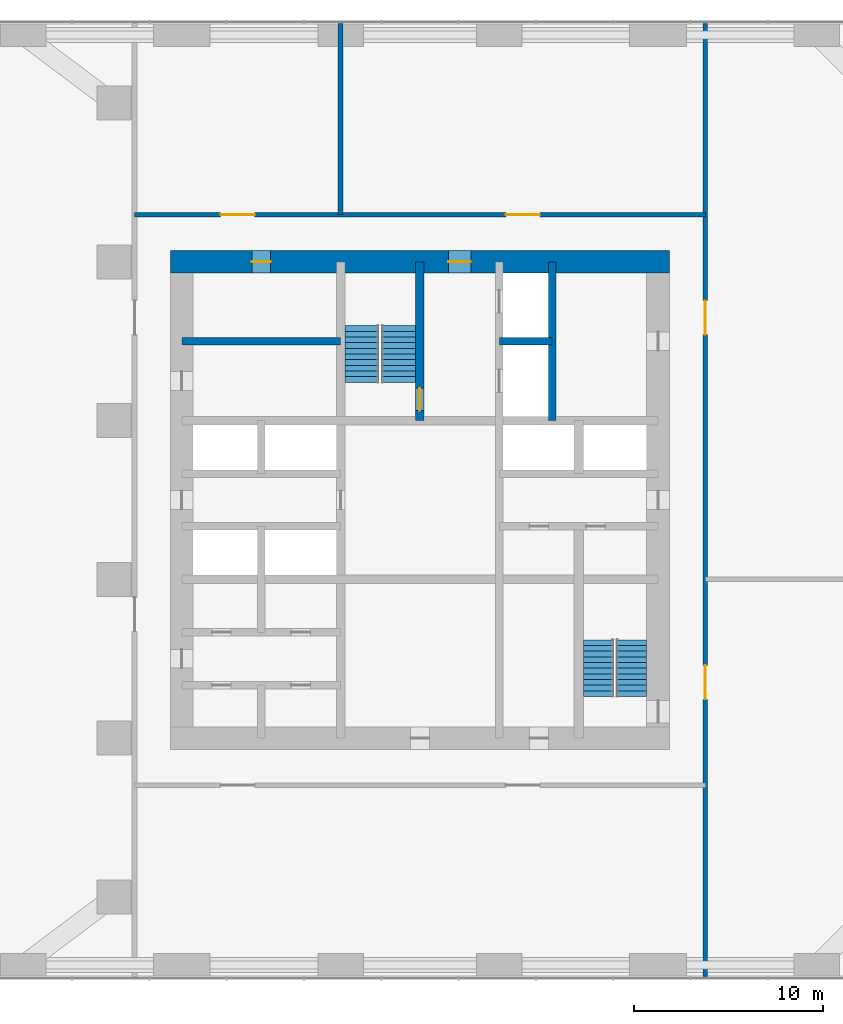
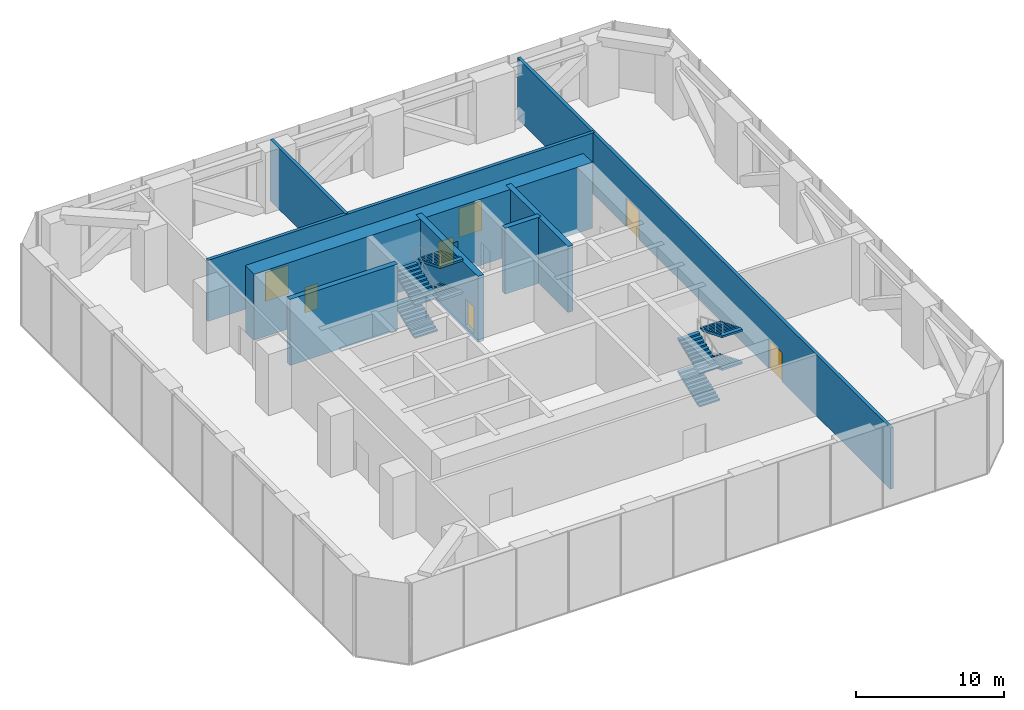
# One storey, part 9 of 10: 8 stair flights, 8 walls, 7 doors, 7 openings, 2 elements without a shape of their own.
"""IFC4 building model written with IfcOpenShell, lengths in metres."""

from ifc_helpers import new_model, si_unit, direction, frame, frame_2d, origin, place, context, subcontext, project, spatial, polyline, rectangle, outline, extrude, material, layer, layer_set, type_object, element, fill, aggregate, save


model = new_model("IFC4")

# Units and contexts
model_context = context("Model", 3, precision=1e-05, world=origin(), true_north=direction((0.0, 1.0)))
body_context = subcontext(model_context, "Body", "Model", "MODEL_VIEW")
ifc_project = project(units=[si_unit("LENGTHUNIT", "METRE"), si_unit("AREAUNIT", "SQUARE_METRE"), si_unit("VOLUMEUNIT", "CUBIC_METRE"), si_unit("PLANEANGLEUNIT", "RADIAN"), si_unit("MASSUNIT", "GRAM", prefix="KILO")], contexts=[model_context])

# Site, building, storey
site_placement = place(None, origin())
site = spatial("IfcSite", under=ifc_project, at=site_placement, CompositionType="ELEMENT")
building_placement = place(site_placement, origin())
building = spatial("IfcBuilding", under=site, at=building_placement, Name="Dunama Terrace Hotel", CompositionType="ELEMENT")
storey_placement = place(building_placement, frame((0.0, 0.0, 220.199951171875)))
storey = spatial("IfcBuildingStorey", under=building, at=storey_placement, Name="L57", CompositionType="ELEMENT", Elevation=220.199951171875)

# Walls
ifc_material_1 = material(Name="Concrete C50/60", Category="concrete")
ifc_layer_1 = layer(ifc_material_1, 0.39990234375)
ifc_layer_set_1 = layer_set([ifc_layer_1], Name="Core inner wall 400")
wall_type_1 = type_object("IfcWallType", Name="Core inner wall 400", PredefinedType="SHEAR", material=ifc_layer_set_1)
for number, where, z_axis, x_axis, name in (
    (1, (36.39990234375, 33.60009765625, -0.39990234375), (0.0, 0.0, 1.0), (0.0, 1.0, 0.0), "Core inner wall 400 L57"),
    (2, (16.800048828125, 37.800048828125, -0.39990234375), (0.0, 0.0, 1.0), (1.0, 0.0, 0.0), "Core inner wall 400 L57"),
):
    element("IfcWall", number, at=place(storey_placement, frame(where, z_axis=z_axis, x_axis=x_axis)), inside=storey, type_object=wall_type_1, Name=name, PredefinedType="SHEAR", context=body_context, shape_type="SweptSolid", body=[
        extrude(rectangle(XDim=8.39990234375, YDim=0.39990234375, at=frame_2d((4.199951171875, 0.0))), origin(), (0.0, 0.0, 1.0), 5.449951171875),
    ])
wall_1_placement = place(storey_placement, frame((33.60009765625, 37.800048828125, -0.39990234375), z_axis=(0.0, 0.0, 1.0), x_axis=(1.0, 0.0, 0.0)))
element("IfcWall", 3, at=wall_1_placement, inside=storey, type_object=wall_type_1, Name="Core inner wall 400 L57", PredefinedType="SHEAR", context=body_context, shape_type="SweptSolid", body=[
    extrude(rectangle(XDim=2.7998046875, YDim=0.39990234375, at=frame_2d((1.39990234375, 0.0))), origin(), (0.0, 0.0, 1.0), 5.449951171875),
])

# Wall, opening, door
ifc_material_2 = material(Name="Concrete C50/60", Category="concrete")
ifc_layer_2 = layer(ifc_material_2, 0.449951171875)
ifc_layer_set_2 = layer_set([ifc_layer_2], Name="Core inner wall 450")
wall_type_2 = type_object("IfcWallType", Name="Core inner wall 450", PredefinedType="SHEAR", material=ifc_layer_set_2)
wall_2_placement = place(storey_placement, frame((29.39990234375, 33.60009765625, -0.39990234375), z_axis=(0.0, 0.0, 1.0), x_axis=(0.0, 1.0, 0.0)))
wall_2 = element("IfcWall", 4, at=wall_2_placement, inside=storey, type_object=wall_type_2, Name="Core inner wall 450 L57", PredefinedType="SHEAR", context=body_context, shape_type="SweptSolid", body=[
    extrude(rectangle(XDim=8.39990234375, YDim=0.449951171875, at=frame_2d((4.199951171875, 0.0))), origin(), (0.0, 0.0, 1.0), 5.449951171875),
])
opening_1_placement = place(wall_2_placement, frame((0.52490234375, 0.0, 0.39990234375)))
opening_1 = element("IfcOpeningElement", 5, at=opening_1_placement, cuts=wall_2, Name="Opening L57-001", PredefinedType="OPENING", context=body_context, shape_type="SweptSolid", body=[
    extrude(rectangle(XDim=1.199951171875, YDim=2.199951171875, at=frame_2d((0.60009765625, 1.10009765625))), frame((0.0, 0.23486328125, 0.0), z_axis=(0.0, -1.0, 0.0), x_axis=(1.0, 0.0, 0.0)), (0.0, 0.0, 1.0), 0.469970703125),
])
ifc_material_3 = material(Name="Timber door with steel frame", Category="steel")
door_type_1 = type_object("IfcDoorType", Name="Stair door 1200", OperationType="SINGLE_SWING_LEFT", PredefinedType="DOOR", material=ifc_material_3)
door_1_placement = place(opening_1_placement, origin())
door_1 = element("IfcDoor", 6, at=door_1_placement, inside=storey, type_object=door_type_1, Name="Stair door ST1 L57-001, type D5", OperationType="SINGLE_SWING_LEFT", OverallHeight=2.199951171875, OverallWidth=1.199951171875, PredefinedType="DOOR", context=body_context, shape_type="SweptSolid", body=[
    extrude(rectangle(XDim=1.199951171875, YDim=2.199951171875, at=frame_2d((0.60009765625, 1.10009765625))), frame((0.0, 0.02490234375, 0.0), z_axis=(0.0, -1.0, 0.0), x_axis=(1.0, 0.0, 0.0)), (0.0, 0.0, 1.0), 0.050048828125),
])
fill(opening_1, door_1)

# Wall, openings, doors
ifc_material_4 = material(Name="Concrete C60/75", Category="concrete")
ifc_layer_3 = layer(ifc_material_4, 1.199951171875)
ifc_layer_set_3 = layer_set([ifc_layer_3], Name="Core wall 1200")
wall_type_3 = type_object("IfcWallType", Name="Core wall 1200", PredefinedType="SHEAR", material=ifc_layer_set_3)
wall_3_placement = place(storey_placement, frame((42.60009765625, 42.0, -0.39990234375), z_axis=(0.0, 0.0, 1.0), x_axis=(-1.0, 0.0, 0.0)))
wall_3 = element("IfcWall", 7, at=wall_3_placement, inside=storey, type_object=wall_type_3, Name="Core wall north L57", PredefinedType="SHEAR", context=body_context, shape_type="SweptSolid", body=[
    extrude(rectangle(XDim=26.400146484375, YDim=1.199951171875, at=frame_2d((13.2001953125, 0.0))), origin(), (0.0, 0.0, 1.0), 5.449951171875),
])
opening_2_placement = place(wall_3_placement, frame((21.10009765625, 0.0, 0.39990234375)))
opening_2 = element("IfcOpeningElement", 8, at=opening_2_placement, cuts=wall_3, Name="Opening L57-020", PredefinedType="OPENING", context=body_context, shape_type="SweptSolid", body=[
    extrude(rectangle(XDim=1.0, YDim=2.10009765625, at=frame_2d((0.5, 1.050048828125))), frame((0.0, 0.60986328125, 0.0), z_axis=(0.0, -1.0, 0.0), x_axis=(1.0, 0.0, 0.0)), (0.0, 0.0, 1.0), 1.219970703125),
])
opening_3_placement = place(wall_3_placement, frame((10.5, 0.0, 0.39990234375)))
opening_3 = element("IfcOpeningElement", 9, at=opening_3_placement, cuts=wall_3, Name="Opening L57-025", PredefinedType="OPENING", context=body_context, shape_type="SweptSolid", body=[
    extrude(rectangle(XDim=1.199951171875, YDim=2.199951171875, at=frame_2d((0.60009765625, 1.10009765625))), frame((0.0, 0.60986328125, 0.0), z_axis=(0.0, -1.0, 0.0), x_axis=(1.0, 0.0, 0.0)), (0.0, 0.0, 1.0), 1.219970703125),
])
ifc_material_5 = material(Name="Timber door with steel frame", Category="steel")
door_type_2 = type_object("IfcDoorType", Name="Firefighting lobby door 1200", OperationType="SINGLE_SWING_LEFT", PredefinedType="DOOR", material=ifc_material_5)
door_2_placement = place(opening_3_placement, origin())
door_2 = element("IfcDoor", 10, at=door_2_placement, inside=storey, type_object=door_type_2, Name="Door to firefighting lobby L57-025, type D4", OperationType="SINGLE_SWING_RIGHT", OverallHeight=2.199951171875, OverallWidth=1.199951171875, PredefinedType="DOOR", context=body_context, shape_type="SweptSolid", body=[
    extrude(rectangle(XDim=1.199951171875, YDim=2.199951171875, at=frame_2d((0.60009765625, 1.10009765625))), frame((0.0, 0.02490234375, 0.0), z_axis=(0.0, -1.0, 0.0), x_axis=(1.0, 0.0, 0.0)), (0.0, 0.0, 1.0), 0.050048828125),
])
fill(opening_3, door_2)
ifc_material_6 = material(Name="Timber door with steel frame", Category="steel")
door_type_3 = type_object("IfcDoorType", Name="Service door 1000", OperationType="SINGLE_SWING_LEFT", PredefinedType="DOOR", material=ifc_material_6)
door_3_placement = place(opening_2_placement, origin())
door_3 = element("IfcDoor", 11, at=door_3_placement, inside=storey, type_object=door_type_3, Name="Door to communications and riser room L57-020, type D7", OperationType="SINGLE_SWING_LEFT", OverallHeight=2.10009765625, OverallWidth=1.0, PredefinedType="DOOR", context=body_context, shape_type="SweptSolid", body=[
    extrude(rectangle(XDim=1.0, YDim=2.10009765625, at=frame_2d((0.5, 1.050048828125))), frame((0.0, 0.02490234375, 0.0), z_axis=(0.0, -1.0, 0.0), x_axis=(1.0, 0.0, 0.0)), (0.0, 0.0, 1.0), 0.050048828125),
])
fill(opening_2, door_3)

# Wall
ifc_material_7 = material(Name="Concrete blockwork", Category="masonry")
ifc_layer_4 = layer(ifc_material_7, 0.25)
ifc_layer_set_4 = layer_set([ifc_layer_4], Name="Plant room wall 250")
wall_type_4 = type_object("IfcWallType", Name="Plant room wall 250", PredefinedType="PARTITIONING", material=ifc_layer_set_4)
wall_4_placement = place(storey_placement, frame((25.199951171875, 44.5, 0.0), z_axis=(0.0, 0.0, 1.0), x_axis=(0.0, 1.0, 0.0)))
element("IfcWall", 12, at=wall_4_placement, inside=storey, type_object=wall_type_4, Name="Plant room wall 250 L57", PredefinedType="PARTITIONING", context=body_context, shape_type="SweptSolid", body=[
    extrude(rectangle(XDim=10.117919921875, YDim=0.25, at=frame_2d((5.05908203125, 0.0))), origin(), (0.0, 0.0, 1.0), 5.050048828125),
])

# Wall, openings, doors
wall_5_placement = place(storey_placement, frame((44.5, 4.181884765625, 0.0), z_axis=(0.0, 0.0, 1.0), x_axis=(0.0, 1.0, 0.0)))
wall_5 = element("IfcWall", 13, at=wall_5_placement, inside=storey, type_object=wall_type_4, Name="Plant room wall 250 L57", PredefinedType="PARTITIONING", context=body_context, shape_type="SweptSolid", body=[
    extrude(rectangle(XDim=50.43603515625, YDim=0.25, at=frame_2d((25.218017578125, 0.0))), origin(), (0.0, 0.0, 1.0), 5.050048828125),
])
opening_4_placement = place(wall_5_placement, frame((14.66796875, 0.0, 0.0)))
opening_4 = element("IfcOpeningElement", 14, at=opening_4_placement, cuts=wall_5, Name="Opening L57-009", PredefinedType="OPENING", context=body_context, shape_type="SweptSolid", body=[
    extrude(rectangle(XDim=1.800048828125, YDim=2.39990234375, at=frame_2d((0.89990234375, 1.199951171875))), frame((0.0, 0.135009765625, 0.0), z_axis=(0.0, -1.0, 0.0), x_axis=(1.0, 0.0, 0.0)), (0.0, 0.0, 1.0), 0.27001953125),
])
opening_5_placement = place(wall_5_placement, frame((33.968017578125, 0.0, 0.0)))
opening_5 = element("IfcOpeningElement", 15, at=opening_5_placement, cuts=wall_5, Name="Opening L57-010", PredefinedType="OPENING", context=body_context, shape_type="SweptSolid", body=[
    extrude(rectangle(XDim=1.800048828125, YDim=2.39990234375, at=frame_2d((0.89990234375, 1.199951171875))), frame((0.0, 0.135009765625, 0.0), z_axis=(0.0, -1.0, 0.0), x_axis=(1.0, 0.0, 0.0)), (0.0, 0.0, 1.0), 0.27001953125),
])
ifc_material_8 = material(Name="Timber door with steel frame", Category="steel")
door_type_4 = type_object("IfcDoorType", Name="Plant room double door 1800", OperationType="DOUBLE_DOOR_DOUBLE_SWING", PredefinedType="DOOR", material=ifc_material_8)
door_4_placement = place(opening_4_placement, origin())
door_4 = element("IfcDoor", 16, at=door_4_placement, inside=storey, type_object=door_type_4, Name="Door to heat exchanger plant room L57-009, type D9", OperationType="DOUBLE_DOOR_DOUBLE_SWING", OverallHeight=2.39990234375, OverallWidth=1.800048828125, PredefinedType="DOOR", context=body_context, shape_type="SweptSolid", body=[
    extrude(rectangle(XDim=1.800048828125, YDim=2.39990234375, at=frame_2d((0.89990234375, 1.199951171875))), frame((0.0, 0.02490234375, 0.0), z_axis=(0.0, -1.0, 0.0), x_axis=(1.0, 0.0, 0.0)), (0.0, 0.0, 1.0), 0.050048828125),
])
fill(opening_4, door_4)
door_5_placement = place(opening_5_placement, origin())
door_5 = element("IfcDoor", 17, at=door_5_placement, inside=storey, type_object=door_type_4, Name="Door to pressure break tank room L57-010, type D9", OperationType="DOUBLE_DOOR_DOUBLE_SWING", OverallHeight=2.39990234375, OverallWidth=1.800048828125, PredefinedType="DOOR", context=body_context, shape_type="SweptSolid", body=[
    extrude(rectangle(XDim=1.800048828125, YDim=2.39990234375, at=frame_2d((0.89990234375, 1.199951171875))), frame((0.0, 0.02490234375, 0.0), z_axis=(0.0, -1.0, 0.0), x_axis=(1.0, 0.0, 0.0)), (0.0, 0.0, 1.0), 0.050048828125),
])
fill(opening_5, door_5)

wall_6_placement = place(storey_placement, frame((14.300048828125, 44.5, 0.0), z_axis=(0.0, 0.0, 1.0), x_axis=(1.0, 0.0, 0.0)))
wall_6 = element("IfcWall", 18, at=wall_6_placement, inside=storey, type_object=wall_type_4, Name="Plant room wall 250 L57", PredefinedType="PARTITIONING", context=body_context, shape_type="SweptSolid", body=[
    extrude(rectangle(XDim=30.199951171875, YDim=0.25, at=frame_2d((15.10009765625, 0.0))), origin(), (0.0, 0.0, 1.0), 5.050048828125),
])
opening_6_placement = place(wall_6_placement, frame((4.550048828125, 0.0, 0.0)))
opening_6 = element("IfcOpeningElement", 19, at=opening_6_placement, cuts=wall_6, Name="Opening L57-011", PredefinedType="OPENING", context=body_context, shape_type="SweptSolid", body=[
    extrude(rectangle(XDim=1.800048828125, YDim=2.39990234375, at=frame_2d((0.89990234375, 1.199951171875))), frame((0.0, 0.135009765625, 0.0), z_axis=(0.0, -1.0, 0.0), x_axis=(1.0, 0.0, 0.0)), (0.0, 0.0, 1.0), 0.27001953125),
])
opening_7_placement = place(wall_6_placement, frame((19.64990234375, 0.0, 0.0)))
opening_7 = element("IfcOpeningElement", 20, at=opening_7_placement, cuts=wall_6, Name="Opening L57-012", PredefinedType="OPENING", context=body_context, shape_type="SweptSolid", body=[
    extrude(rectangle(XDim=1.800048828125, YDim=2.39990234375, at=frame_2d((0.89990234375, 1.199951171875))), frame((0.0, 0.135009765625, 0.0), z_axis=(0.0, -1.0, 0.0), x_axis=(1.0, 0.0, 0.0)), (0.0, 0.0, 1.0), 0.27001953125),
])
door_6_placement = place(opening_6_placement, origin())
door_6 = element("IfcDoor", 21, at=door_6_placement, inside=storey, type_object=door_type_4, Name="Door to electrical switch room L57-011, type D9", OperationType="DOUBLE_DOOR_DOUBLE_SWING", OverallHeight=2.39990234375, OverallWidth=1.800048828125, PredefinedType="DOOR", context=body_context, shape_type="SweptSolid", body=[
    extrude(rectangle(XDim=1.800048828125, YDim=2.39990234375, at=frame_2d((0.89990234375, 1.199951171875))), frame((0.0, 0.02490234375, 0.0), z_axis=(0.0, -1.0, 0.0), x_axis=(1.0, 0.0, 0.0)), (0.0, 0.0, 1.0), 0.050048828125),
])
fill(opening_6, door_6)
door_7_placement = place(opening_7_placement, origin())
door_7 = element("IfcDoor", 22, at=door_7_placement, inside=storey, type_object=door_type_4, Name="Door to transformer room L57-012, type D9", OperationType="DOUBLE_DOOR_DOUBLE_SWING", OverallHeight=2.39990234375, OverallWidth=1.800048828125, PredefinedType="DOOR", context=body_context, shape_type="SweptSolid", body=[
    extrude(rectangle(XDim=1.800048828125, YDim=2.39990234375, at=frame_2d((0.89990234375, 1.199951171875))), frame((0.0, 0.02490234375, 0.0), z_axis=(0.0, -1.0, 0.0), x_axis=(1.0, 0.0, 0.0)), (0.0, 0.0, 1.0), 0.050048828125),
])
fill(opening_7, door_7)

# Stair, stair flights
ifc_material_9 = material(Name="Concrete C40/50", Category="concrete")
stair_type_1 = type_object("IfcStairType", Name="Stair ST1-5400-1800", PredefinedType="HALF_TURN_STAIR", material=ifc_material_9)
stair_1_placement = place(storey_placement, origin())
stair_1 = element("IfcStair", 23, at=stair_1_placement, inside=storey, type_object=stair_type_1, Name="Stair ST1 L57", PredefinedType="HALF_TURN_STAIR")
ifc_material_10 = material(Name="Concrete C40/50", Category="concrete")
stair_flight_type_1 = type_object("IfcStairFlightType", Name="Stair flight ST1-5400-1800", PredefinedType="STRAIGHT", material=ifc_material_10)
stair_flight_1_placement = place(storey_placement, frame((26.324951171875, 35.625, 0.0), z_axis=(0.0, 0.0, 1.0), x_axis=(0.0, 1.0, 0.0)))
stair_flight_1 = element("IfcStairFlight", 24, at=stair_flight_1_placement, type_object=stair_flight_type_1, Name="ST1 flight 1", NumberOfRisers=11, NumberOfTreads=10, PredefinedType="STRAIGHT", RiserHeight=0.122727273, TreadLength=0.3, context=body_context, shape_type="SweptSolid", body=[
    extrude(outline(polyline([(0.0, 0.0), (0.0, 0.122802734375), (0.300048828125, 0.122802734375), (0.300048828125, 0.245361328125), (0.60009765625, 0.245361328125), (0.60009765625, 0.3681640625), (0.89990234375, 0.3681640625), (0.89990234375, 0.490966796875), (1.199951171875, 0.490966796875), (1.199951171875, 0.613525390625), (1.5, 0.613525390625), (1.5, 0.736328125), (1.800048828125, 0.736328125), (1.800048828125, 0.859130859375), (2.10009765625, 0.859130859375), (2.10009765625, 0.98193359375), (2.39990234375, 0.98193359375), (2.39990234375, 1.1044921875), (2.699951171875, 1.1044921875), (2.699951171875, 1.227294921875), (3.0, 1.227294921875), (3.0, 1.35009765625), (3.0, 1.0654296875), (0.39599609375, 0.0), (0.0, 0.0)])), frame((0.0, 0.89990234375, 0.0), z_axis=(0.0, -1.0, 0.0), x_axis=(1.0, 0.0, 0.0)), (0.0, 0.0, 1.0), 1.800048828125),
])
stair_flight_2_placement = place(storey_placement, frame((28.27490234375, 38.625, 1.35009765625), z_axis=(0.0, 0.0, 1.0), x_axis=(0.0, -1.0, 0.0)))
stair_flight_2 = element("IfcStairFlight", 25, at=stair_flight_2_placement, type_object=stair_flight_type_1, Name="ST1 flight 2", NumberOfRisers=11, NumberOfTreads=10, PredefinedType="STRAIGHT", RiserHeight=0.122727273, TreadLength=0.3, context=body_context, shape_type="SweptSolid", body=[
    extrude(outline(polyline([(0.0, 0.0), (0.0, 0.122802734375), (0.300048828125, 0.122802734375), (0.300048828125, 0.245361328125), (0.60009765625, 0.245361328125), (0.60009765625, 0.3681640625), (0.89990234375, 0.3681640625), (0.89990234375, 0.490966796875), (1.199951171875, 0.490966796875), (1.199951171875, 0.613525390625), (1.5, 0.613525390625), (1.5, 0.736328125), (1.800048828125, 0.736328125), (1.800048828125, 0.859130859375), (2.10009765625, 0.859130859375), (2.10009765625, 0.98193359375), (2.39990234375, 0.98193359375), (2.39990234375, 1.1044921875), (2.699951171875, 1.1044921875), (2.699951171875, 1.227294921875), (3.0, 1.227294921875), (3.0, 1.35009765625), (3.0, 1.0654296875), (0.39599609375, 0.0), (0.0, 0.0)])), frame((0.0, 0.89990234375, 0.0), z_axis=(0.0, -1.0, 0.0), x_axis=(1.0, 0.0, 0.0)), (0.0, 0.0, 1.0), 1.800048828125),
])
stair_flight_3_placement = place(storey_placement, frame((26.324951171875, 35.625, 2.699951171875), z_axis=(0.0, 0.0, 1.0), x_axis=(0.0, 1.0, 0.0)))
stair_flight_3 = element("IfcStairFlight", 26, at=stair_flight_3_placement, type_object=stair_flight_type_1, Name="ST1 flight 3", NumberOfRisers=11, NumberOfTreads=10, PredefinedType="STRAIGHT", RiserHeight=0.122727273, TreadLength=0.3, context=body_context, shape_type="SweptSolid", body=[
    extrude(outline(polyline([(0.0, 0.0), (0.0, 0.122802734375), (0.300048828125, 0.122802734375), (0.300048828125, 0.245361328125), (0.60009765625, 0.245361328125), (0.60009765625, 0.3681640625), (0.89990234375, 0.3681640625), (0.89990234375, 0.490966796875), (1.199951171875, 0.490966796875), (1.199951171875, 0.613525390625), (1.5, 0.613525390625), (1.5, 0.736328125), (1.800048828125, 0.736328125), (1.800048828125, 0.859130859375), (2.10009765625, 0.859130859375), (2.10009765625, 0.98193359375), (2.39990234375, 0.98193359375), (2.39990234375, 1.1044921875), (2.699951171875, 1.1044921875), (2.699951171875, 1.227294921875), (3.0, 1.227294921875), (3.0, 1.35009765625), (3.0, 1.0654296875), (0.39599609375, 0.0), (0.0, 0.0)])), frame((0.0, 0.89990234375, 0.0), z_axis=(0.0, -1.0, 0.0), x_axis=(1.0, 0.0, 0.0)), (0.0, 0.0, 1.0), 1.800048828125),
])
stair_flight_4_placement = place(storey_placement, frame((28.27490234375, 38.625, 4.050048828125), z_axis=(0.0, 0.0, 1.0), x_axis=(0.0, -1.0, 0.0)))
stair_flight_4 = element("IfcStairFlight", 27, at=stair_flight_4_placement, type_object=stair_flight_type_1, Name="ST1 flight 4", NumberOfRisers=11, NumberOfTreads=10, PredefinedType="STRAIGHT", RiserHeight=0.122727273, TreadLength=0.3, context=body_context, shape_type="SweptSolid", body=[
    extrude(outline(polyline([(0.0, 0.0), (0.0, 0.122802734375), (0.300048828125, 0.122802734375), (0.300048828125, 0.245361328125), (0.60009765625, 0.245361328125), (0.60009765625, 0.3681640625), (0.89990234375, 0.3681640625), (0.89990234375, 0.490966796875), (1.199951171875, 0.490966796875), (1.199951171875, 0.613525390625), (1.5, 0.613525390625), (1.5, 0.736328125), (1.800048828125, 0.736328125), (1.800048828125, 0.859130859375), (2.10009765625, 0.859130859375), (2.10009765625, 0.98193359375), (2.39990234375, 0.98193359375), (2.39990234375, 1.1044921875), (2.699951171875, 1.1044921875), (2.699951171875, 1.227294921875), (3.0, 1.227294921875), (3.0, 1.35009765625), (3.0, 1.0654296875), (0.39599609375, 0.0), (0.0, 0.0)])), frame((0.0, 0.89990234375, 0.0), z_axis=(0.0, -1.0, 0.0), x_axis=(1.0, 0.0, 0.0)), (0.0, 0.0, 1.0), 1.800048828125),
])
aggregate(stair_1, [stair_flight_1, stair_flight_2, stair_flight_3, stair_flight_4])

ifc_material_11 = material(Name="Concrete C40/50", Category="concrete")
stair_type_2 = type_object("IfcStairType", Name="Stair ST2-5400-1600", PredefinedType="HALF_TURN_STAIR", material=ifc_material_11)
stair_2_placement = place(storey_placement, origin())
stair_2 = element("IfcStair", 28, at=stair_2_placement, inside=storey, type_object=stair_type_2, Name="Stair ST2 L57", PredefinedType="HALF_TURN_STAIR")
ifc_material_12 = material(Name="Concrete C40/50", Category="concrete")
stair_flight_type_2 = type_object("IfcStairFlightType", Name="Stair flight ST2-5400-1600", PredefinedType="STRAIGHT", material=ifc_material_12)
stair_flight_5_placement = place(storey_placement, frame((38.85009765625, 19.0, 0.0), z_axis=(0.0, 0.0, 1.0), x_axis=(0.0, 1.0, 0.0)))
stair_flight_5 = element("IfcStairFlight", 29, at=stair_flight_5_placement, type_object=stair_flight_type_2, Name="ST2 flight 1", NumberOfRisers=11, NumberOfTreads=10, PredefinedType="STRAIGHT", RiserHeight=0.122727273, TreadLength=0.3, context=body_context, shape_type="SweptSolid", body=[
    extrude(outline(polyline([(0.0, 0.0), (0.0, 0.122802734375), (0.300048828125, 0.122802734375), (0.300048828125, 0.245361328125), (0.60009765625, 0.245361328125), (0.60009765625, 0.3681640625), (0.89990234375, 0.3681640625), (0.89990234375, 0.490966796875), (1.199951171875, 0.490966796875), (1.199951171875, 0.613525390625), (1.5, 0.613525390625), (1.5, 0.736328125), (1.800048828125, 0.736328125), (1.800048828125, 0.859130859375), (2.10009765625, 0.859130859375), (2.10009765625, 0.98193359375), (2.39990234375, 0.98193359375), (2.39990234375, 1.1044921875), (2.699951171875, 1.1044921875), (2.699951171875, 1.227294921875), (3.0, 1.227294921875), (3.0, 1.35009765625), (3.0, 1.0654296875), (0.39599609375, 0.0), (0.0, 0.0)])), frame((0.0, 0.800048828125, 0.0), z_axis=(0.0, -1.0, 0.0), x_axis=(1.0, 0.0, 0.0)), (0.0, 0.0, 1.0), 1.60009765625),
])
stair_flight_6_placement = place(storey_placement, frame((40.60009765625, 22.0, 1.35009765625), z_axis=(0.0, 0.0, 1.0), x_axis=(0.0, -1.0, 0.0)))
stair_flight_6 = element("IfcStairFlight", 30, at=stair_flight_6_placement, type_object=stair_flight_type_2, Name="ST2 flight 2", NumberOfRisers=11, NumberOfTreads=10, PredefinedType="STRAIGHT", RiserHeight=0.122727273, TreadLength=0.3, context=body_context, shape_type="SweptSolid", body=[
    extrude(outline(polyline([(0.0, 0.0), (0.0, 0.122802734375), (0.300048828125, 0.122802734375), (0.300048828125, 0.245361328125), (0.60009765625, 0.245361328125), (0.60009765625, 0.3681640625), (0.89990234375, 0.3681640625), (0.89990234375, 0.490966796875), (1.199951171875, 0.490966796875), (1.199951171875, 0.613525390625), (1.5, 0.613525390625), (1.5, 0.736328125), (1.800048828125, 0.736328125), (1.800048828125, 0.859130859375), (2.10009765625, 0.859130859375), (2.10009765625, 0.98193359375), (2.39990234375, 0.98193359375), (2.39990234375, 1.1044921875), (2.699951171875, 1.1044921875), (2.699951171875, 1.227294921875), (3.0, 1.227294921875), (3.0, 1.35009765625), (3.0, 1.0654296875), (0.39599609375, 0.0), (0.0, 0.0)])), frame((0.0, 0.800048828125, 0.0), z_axis=(0.0, -1.0, 0.0), x_axis=(1.0, 0.0, 0.0)), (0.0, 0.0, 1.0), 1.60009765625),
])
stair_flight_7_placement = place(storey_placement, frame((38.85009765625, 19.0, 2.699951171875), z_axis=(0.0, 0.0, 1.0), x_axis=(0.0, 1.0, 0.0)))
stair_flight_7 = element("IfcStairFlight", 31, at=stair_flight_7_placement, type_object=stair_flight_type_2, Name="ST2 flight 3", NumberOfRisers=11, NumberOfTreads=10, PredefinedType="STRAIGHT", RiserHeight=0.122727273, TreadLength=0.3, context=body_context, shape_type="SweptSolid", body=[
    extrude(outline(polyline([(0.0, 0.0), (0.0, 0.122802734375), (0.300048828125, 0.122802734375), (0.300048828125, 0.245361328125), (0.60009765625, 0.245361328125), (0.60009765625, 0.3681640625), (0.89990234375, 0.3681640625), (0.89990234375, 0.490966796875), (1.199951171875, 0.490966796875), (1.199951171875, 0.613525390625), (1.5, 0.613525390625), (1.5, 0.736328125), (1.800048828125, 0.736328125), (1.800048828125, 0.859130859375), (2.10009765625, 0.859130859375), (2.10009765625, 0.98193359375), (2.39990234375, 0.98193359375), (2.39990234375, 1.1044921875), (2.699951171875, 1.1044921875), (2.699951171875, 1.227294921875), (3.0, 1.227294921875), (3.0, 1.35009765625), (3.0, 1.0654296875), (0.39599609375, 0.0), (0.0, 0.0)])), frame((0.0, 0.800048828125, 0.0), z_axis=(0.0, -1.0, 0.0), x_axis=(1.0, 0.0, 0.0)), (0.0, 0.0, 1.0), 1.60009765625),
])
stair_flight_8_placement = place(storey_placement, frame((40.60009765625, 22.0, 4.050048828125), z_axis=(0.0, 0.0, 1.0), x_axis=(0.0, -1.0, 0.0)))
stair_flight_8 = element("IfcStairFlight", 32, at=stair_flight_8_placement, type_object=stair_flight_type_2, Name="ST2 flight 4", NumberOfRisers=11, NumberOfTreads=10, PredefinedType="STRAIGHT", RiserHeight=0.122727273, TreadLength=0.3, context=body_context, shape_type="SweptSolid", body=[
    extrude(outline(polyline([(0.0, 0.0), (0.0, 0.122802734375), (0.300048828125, 0.122802734375), (0.300048828125, 0.245361328125), (0.60009765625, 0.245361328125), (0.60009765625, 0.3681640625), (0.89990234375, 0.3681640625), (0.89990234375, 0.490966796875), (1.199951171875, 0.490966796875), (1.199951171875, 0.613525390625), (1.5, 0.613525390625), (1.5, 0.736328125), (1.800048828125, 0.736328125), (1.800048828125, 0.859130859375), (2.10009765625, 0.859130859375), (2.10009765625, 0.98193359375), (2.39990234375, 0.98193359375), (2.39990234375, 1.1044921875), (2.699951171875, 1.1044921875), (2.699951171875, 1.227294921875), (3.0, 1.227294921875), (3.0, 1.35009765625), (3.0, 1.0654296875), (0.39599609375, 0.0), (0.0, 0.0)])), frame((0.0, 0.800048828125, 0.0), z_axis=(0.0, -1.0, 0.0), x_axis=(1.0, 0.0, 0.0)), (0.0, 0.0, 1.0), 1.60009765625),
])
aggregate(stair_2, [stair_flight_5, stair_flight_6, stair_flight_7, stair_flight_8])

save(model, "model.ifc")
